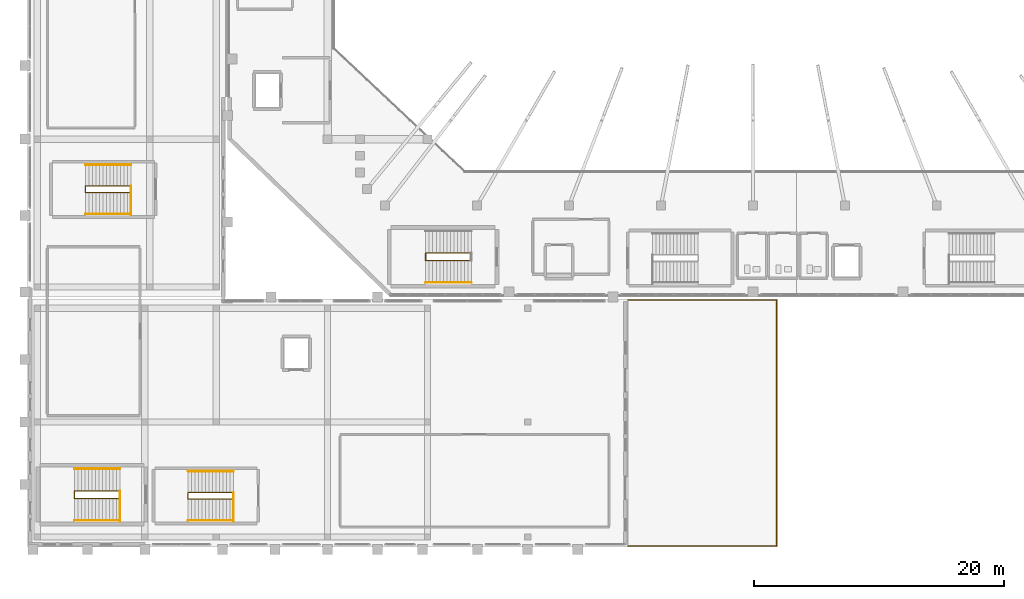
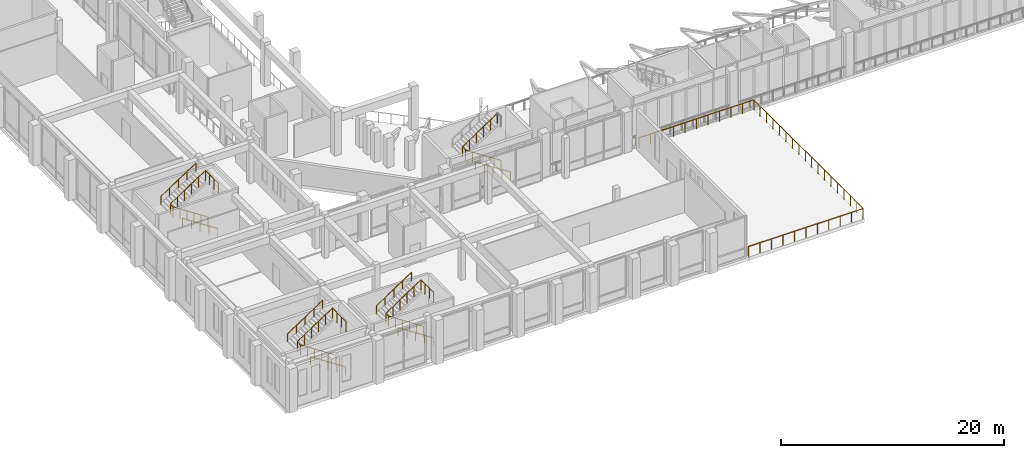
# One storey, part 70 of 79: 15 railings.
"""IFC4 building model written with IfcOpenShell, lengths in metres."""

from ifc_helpers import new_model, si_unit, derived_unit, direction, frame, origin, origin_2d, place, context, subcontext, project, spatial, circle, extrude, material, type_object, element, save


model = new_model("IFC4")

# Units and contexts
model_context = context("Model", 3, precision=1e-05, world=origin(), true_north=direction((0.0, 1.0)))
body_context = subcontext(model_context, "Body", "Model", "MODEL_VIEW")
ifc_project = project(units=[si_unit("LENGTHUNIT", "METRE"), si_unit("AREAUNIT", "SQUARE_METRE"), si_unit("VOLUMEUNIT", "CUBIC_METRE"), si_unit("PLANEANGLEUNIT", "RADIAN"), si_unit("MASSUNIT", "GRAM", prefix="KILO"), derived_unit("THERMALTRANSMITTANCEUNIT", [(si_unit("MASSUNIT", "GRAM", prefix="KILO"), 1), (si_unit("TIMEUNIT", "SECOND"), -3), (si_unit("THERMODYNAMICTEMPERATUREUNIT", "KELVIN"), -1)])], contexts=[model_context])

# Site, building, storey
site_placement = place(None, origin())
site = spatial("IfcSite", under=ifc_project, at=site_placement, CompositionType="ELEMENT")
building_placement = place(site_placement, origin())
building = spatial("IfcBuilding", under=site, at=building_placement, Name="Valcora Ridge Arena", CompositionType="ELEMENT")
storey_placement = place(building_placement, frame((0.0, 0.0, 16.199951171875)))
storey = spatial("IfcBuildingStorey", under=building, at=storey_placement, Name="L03", CompositionType="ELEMENT", Elevation=16.199951171875)

# Railings
ifc_material = material(Name="Galvanized painted steel ASTM A500 Grade B", Category="steel")
railing_type_1 = type_object("IfcRailingType", Name="TY-RAILING-GRD-STAIR-1120", PredefinedType="GUARDRAIL", material=ifc_material)
railing_1_placement = place(storey_placement, frame((35.489990234375, 22.89990234375, 0.0)))
element("IfcRailing", 1, at=railing_1_placement, inside=storey, type_object=railing_type_1, Name="GRD-STAIR-1120 RAL-SG-0009", PredefinedType="GUARDRAIL", context=body_context, shape_type="SweptSolid", body=[
    extrude(circle(Radius=0.02392578125, at=origin_2d()), frame((0.0, 0.0, 1.09619140625), z_axis=(-0.834839479206, 0.0, 0.550493454965), x_axis=(0.0, -1.0, 0.0)), (0.0, 0.0, 1.0), 4.360107421875),
    extrude(circle(Radius=0.02392578125, at=origin_2d()), frame((-3.639892578125, 0.0, 3.49609375), z_axis=(0.0, 1.0, 0.0), x_axis=(-1.0, 0.0, 0.0)), (0.0, 0.0, 1.0), 0.60009765625),
    extrude(circle(Radius=0.02392578125, at=origin_2d()), frame((-3.639892578125, 0.60009765625, 3.49609375), z_axis=(0.834865213223, 0.0, 0.550454426587), x_axis=(0.0, 1.0, 0.0)), (0.0, 0.0, 1.0), 4.35986328125),
    extrude(circle(Radius=0.02099609375, at=origin_2d()), origin(), (0.0, 0.0, 1.0), 1.072021484375),
    extrude(circle(Radius=0.02099609375, at=origin_2d()), frame((-0.72802734375, 0.0, 0.47998046875)), (0.0, 0.0, 1.0), 1.072021484375),
    extrude(circle(Radius=0.02099609375, at=origin_2d()), frame((-1.4560546875, 0.0, 0.9599609375)), (0.0, 0.0, 1.0), 1.072021484375),
    extrude(circle(Radius=0.02099609375, at=origin_2d()), frame((-2.183837890625, 0.0, 1.440185546875)), (0.0, 0.0, 1.0), 1.072021484375),
    extrude(circle(Radius=0.02099609375, at=origin_2d()), frame((-2.911865234375, 0.0, 1.920166015625)), (0.0, 0.0, 1.0), 1.072021484375),
    extrude(circle(Radius=0.02099609375, at=origin_2d()), frame((-3.639892578125, 0.0, 2.400146484375)), (0.0, 0.0, 1.0), 1.072021484375),
    extrude(circle(Radius=0.02099609375, at=origin_2d()), frame((-3.639892578125, 0.60009765625, 2.400146484375)), (0.0, 0.0, 1.0), 1.072021484375),
    extrude(circle(Radius=0.02099609375, at=origin_2d()), frame((-2.911865234375, 0.60009765625, 2.880126953125)), (0.0, 0.0, 1.0), 1.072021484375),
    extrude(circle(Radius=0.02099609375, at=origin_2d()), frame((-2.183837890625, 0.60009765625, 3.360107421875)), (0.0, 0.0, 1.0), 1.072021484375),
    extrude(circle(Radius=0.02099609375, at=origin_2d()), frame((-1.4560546875, 0.60009765625, 3.840087890625)), (0.0, 0.0, 1.0), 1.072021484375),
    extrude(circle(Radius=0.02099609375, at=origin_2d()), frame((-0.72802734375, 0.60009765625, 4.320068359375)), (0.0, 0.0, 1.0), 1.072021484375),
    extrude(circle(Radius=0.02099609375, at=origin_2d()), frame((0.0, 0.60009765625, 4.800048828125)), (0.0, 0.0, 1.0), 1.072021484375),
])
railing_2_placement = place(storey_placement, frame((7.409912109375, 3.89990234375, 0.0)))
element("IfcRailing", 2, at=railing_2_placement, inside=storey, type_object=railing_type_1, Name="GRD-STAIR-1120 RAL-SG-0067", PredefinedType="GUARDRAIL", context=body_context, shape_type="SweptSolid", body=[
    extrude(circle(Radius=0.02392578125, at=origin_2d()), frame((0.0, 0.0, 1.09619140625), z_axis=(-0.834839479206, 0.0, 0.550493454965), x_axis=(0.0, -1.0, 0.0)), (0.0, 0.0, 1.0), 4.360107421875),
    extrude(circle(Radius=0.02392578125, at=origin_2d()), frame((-3.639892578125, 0.0, 3.49609375), z_axis=(0.0, 1.0, 0.0), x_axis=(-1.0, 0.0, 0.0)), (0.0, 0.0, 1.0), 0.60009765625),
    extrude(circle(Radius=0.02392578125, at=origin_2d()), frame((-3.639892578125, 0.60009765625, 3.49609375), z_axis=(0.834865213223, 0.0, 0.550454426587), x_axis=(0.0, 1.0, 0.0)), (0.0, 0.0, 1.0), 4.35986328125),
    extrude(circle(Radius=0.02099609375, at=origin_2d()), origin(), (0.0, 0.0, 1.0), 1.072021484375),
    extrude(circle(Radius=0.02099609375, at=origin_2d()), frame((-0.72802734375, 0.0, 0.47998046875)), (0.0, 0.0, 1.0), 1.072021484375),
    extrude(circle(Radius=0.02099609375, at=origin_2d()), frame((-1.4560546875, 0.0, 0.9599609375)), (0.0, 0.0, 1.0), 1.072021484375),
    extrude(circle(Radius=0.02099609375, at=origin_2d()), frame((-2.183837890625, 0.0, 1.440185546875)), (0.0, 0.0, 1.0), 1.072021484375),
    extrude(circle(Radius=0.02099609375, at=origin_2d()), frame((-2.911865234375, 0.0, 1.920166015625)), (0.0, 0.0, 1.0), 1.072021484375),
    extrude(circle(Radius=0.02099609375, at=origin_2d()), frame((-3.639892578125, 0.0, 2.400146484375)), (0.0, 0.0, 1.0), 1.072021484375),
    extrude(circle(Radius=0.02099609375, at=origin_2d()), frame((-3.639892578125, 0.60009765625, 2.400146484375)), (0.0, 0.0, 1.0), 1.072021484375),
    extrude(circle(Radius=0.02099609375, at=origin_2d()), frame((-2.911865234375, 0.60009765625, 2.880126953125)), (0.0, 0.0, 1.0), 1.072021484375),
    extrude(circle(Radius=0.02099609375, at=origin_2d()), frame((-2.183837890625, 0.60009765625, 3.360107421875)), (0.0, 0.0, 1.0), 1.072021484375),
    extrude(circle(Radius=0.02099609375, at=origin_2d()), frame((-1.4560546875, 0.60009765625, 3.840087890625)), (0.0, 0.0, 1.0), 1.072021484375),
    extrude(circle(Radius=0.02099609375, at=origin_2d()), frame((-0.72802734375, 0.60009765625, 4.320068359375)), (0.0, 0.0, 1.0), 1.072021484375),
    extrude(circle(Radius=0.02099609375, at=origin_2d()), frame((0.0, 0.60009765625, 4.800048828125)), (0.0, 0.0, 1.0), 1.072021484375),
])
railing_3_placement = place(storey_placement, frame((7.409912109375, 2.050048828125, 4.800048828125)))
element("IfcRailing", 3, at=railing_3_placement, inside=storey, type_object=railing_type_1, Name="GRD-STAIR-1120 RAL-SG-0068", PredefinedType="GUARDRAIL", context=body_context, shape_type="SweptSolid", body=[
    extrude(circle(Radius=0.02392578125, at=origin_2d()), frame((0.0, 0.0, 1.09619140625), z_axis=(0.0, 1.0, 0.0), x_axis=(-1.0, 0.0, 0.0)), (0.0, 0.0, 1.0), 2.449951171875),
    extrude(circle(Radius=0.02099609375, at=origin_2d()), origin(), (0.0, 0.0, 1.0), 1.072021484375),
    extrude(circle(Radius=0.02099609375, at=origin_2d()), frame((0.0, 0.816650390625, 0.0)), (0.0, 0.0, 1.0), 1.072021484375),
    extrude(circle(Radius=0.02099609375, at=origin_2d()), frame((0.0, 1.63330078125, 0.0)), (0.0, 0.0, 1.0), 1.072021484375),
    extrude(circle(Radius=0.02099609375, at=origin_2d()), frame((0.0, 2.449951171875, 0.0)), (0.0, 0.0, 1.0), 1.072021484375),
])
railing_4_placement = place(storey_placement, frame((16.5, 3.85009765625, 0.0)))
element("IfcRailing", 4, at=railing_4_placement, inside=storey, type_object=railing_type_1, Name="GRD-STAIR-1120 RAL-SG-0135", PredefinedType="GUARDRAIL", context=body_context, shape_type="SweptSolid", body=[
    extrude(circle(Radius=0.02392578125, at=origin_2d()), frame((0.0, 0.0, 1.09619140625), z_axis=(-0.834839479206, 0.0, 0.550493454965), x_axis=(0.0, -1.0, 0.0)), (0.0, 0.0, 1.0), 4.360107421875),
    extrude(circle(Radius=0.02392578125, at=origin_2d()), frame((-3.639892578125, 0.0, 3.49609375), z_axis=(0.0, 1.0, 0.0), x_axis=(-1.0, 0.0, 0.0)), (0.0, 0.0, 1.0), 0.5),
    extrude(circle(Radius=0.02392578125, at=origin_2d()), frame((-3.639892578125, 0.5, 3.49609375), z_axis=(0.834865213223, 0.0, 0.550454426587), x_axis=(0.0, 1.0, 0.0)), (0.0, 0.0, 1.0), 4.35986328125),
    extrude(circle(Radius=0.02099609375, at=origin_2d()), origin(), (0.0, 0.0, 1.0), 1.072021484375),
    extrude(circle(Radius=0.02099609375, at=origin_2d()), frame((-0.72802734375, 0.0, 0.47998046875)), (0.0, 0.0, 1.0), 1.072021484375),
    extrude(circle(Radius=0.02099609375, at=origin_2d()), frame((-1.4560546875, 0.0, 0.9599609375)), (0.0, 0.0, 1.0), 1.072021484375),
    extrude(circle(Radius=0.02099609375, at=origin_2d()), frame((-2.183837890625, 0.0, 1.440185546875)), (0.0, 0.0, 1.0), 1.072021484375),
    extrude(circle(Radius=0.02099609375, at=origin_2d()), frame((-2.911865234375, 0.0, 1.920166015625)), (0.0, 0.0, 1.0), 1.072021484375),
    extrude(circle(Radius=0.02099609375, at=origin_2d()), frame((-3.639892578125, 0.0, 2.400146484375)), (0.0, 0.0, 1.0), 1.072021484375),
    extrude(circle(Radius=0.02099609375, at=origin_2d()), frame((-3.639892578125, 0.5, 2.400146484375)), (0.0, 0.0, 1.0), 1.072021484375),
    extrude(circle(Radius=0.02099609375, at=origin_2d()), frame((-2.911865234375, 0.5, 2.880126953125)), (0.0, 0.0, 1.0), 1.072021484375),
    extrude(circle(Radius=0.02099609375, at=origin_2d()), frame((-2.183837890625, 0.5, 3.360107421875)), (0.0, 0.0, 1.0), 1.072021484375),
    extrude(circle(Radius=0.02099609375, at=origin_2d()), frame((-1.4560546875, 0.5, 3.840087890625)), (0.0, 0.0, 1.0), 1.072021484375),
    extrude(circle(Radius=0.02099609375, at=origin_2d()), frame((-0.72802734375, 0.5, 4.320068359375)), (0.0, 0.0, 1.0), 1.072021484375),
    extrude(circle(Radius=0.02099609375, at=origin_2d()), frame((0.0, 0.5, 4.800048828125)), (0.0, 0.0, 1.0), 1.072021484375),
])
railing_5_placement = place(storey_placement, frame((16.5, 2.050048828125, 4.800048828125)))
element("IfcRailing", 5, at=railing_5_placement, inside=storey, type_object=railing_type_1, Name="GRD-STAIR-1120 RAL-SG-0136", PredefinedType="GUARDRAIL", context=body_context, shape_type="SweptSolid", body=[
    extrude(circle(Radius=0.02392578125, at=origin_2d()), frame((0.0, 0.0, 1.09619140625), z_axis=(0.0, 1.0, 0.0), x_axis=(-1.0, 0.0, 0.0)), (0.0, 0.0, 1.0), 2.300048828125),
    extrude(circle(Radius=0.02099609375, at=origin_2d()), origin(), (0.0, 0.0, 1.0), 1.072021484375),
    extrude(circle(Radius=0.02099609375, at=origin_2d()), frame((0.0, 0.7666015625, 0.0)), (0.0, 0.0, 1.0), 1.072021484375),
    extrude(circle(Radius=0.02099609375, at=origin_2d()), frame((0.0, 1.533447265625, 0.0)), (0.0, 0.0, 1.0), 1.072021484375),
    extrude(circle(Radius=0.02099609375, at=origin_2d()), frame((0.0, 2.300048828125, 0.0)), (0.0, 0.0, 1.0), 1.072021484375),
])
railing_6_placement = place(storey_placement, frame((8.300048828125, 28.35009765625, 0.0)))
element("IfcRailing", 6, at=railing_6_placement, inside=storey, type_object=railing_type_1, Name="GRD-STAIR-1120 RAL-SG-0147", PredefinedType="GUARDRAIL", context=body_context, shape_type="SweptSolid", body=[
    extrude(circle(Radius=0.02392578125, at=origin_2d()), frame((0.0, 0.0, 1.09619140625), z_axis=(-0.834856447115, 0.0, 0.55046772177), x_axis=(0.0, -1.0, 0.0)), (0.0, 0.0, 1.0), 4.360107421875),
    extrude(circle(Radius=0.02392578125, at=origin_2d()), frame((-3.64013671875, 0.0, 3.49609375), z_axis=(0.0, 1.0, 0.0), x_axis=(-1.0, 0.0, 0.0)), (0.0, 0.0, 1.0), 0.5),
    extrude(circle(Radius=0.02392578125, at=origin_2d()), frame((-3.64013671875, 0.5, 3.49609375), z_axis=(0.83488217925, 0.0, 0.55042869363), x_axis=(0.0, 1.0, 0.0)), (0.0, 0.0, 1.0), 4.360107421875),
    extrude(circle(Radius=0.02099609375, at=origin_2d()), origin(), (0.0, 0.0, 1.0), 1.072021484375),
    extrude(circle(Radius=0.02099609375, at=origin_2d()), frame((-0.72802734375, 0.0, 0.47998046875)), (0.0, 0.0, 1.0), 1.072021484375),
    extrude(circle(Radius=0.02099609375, at=origin_2d()), frame((-1.4560546875, 0.0, 0.9599609375)), (0.0, 0.0, 1.0), 1.072021484375),
    extrude(circle(Radius=0.02099609375, at=origin_2d()), frame((-2.18408203125, 0.0, 1.440185546875)), (0.0, 0.0, 1.0), 1.072021484375),
    extrude(circle(Radius=0.02099609375, at=origin_2d()), frame((-2.912109375, 0.0, 1.920166015625)), (0.0, 0.0, 1.0), 1.072021484375),
    extrude(circle(Radius=0.02099609375, at=origin_2d()), frame((-3.64013671875, 0.0, 2.400146484375)), (0.0, 0.0, 1.0), 1.072021484375),
    extrude(circle(Radius=0.02099609375, at=origin_2d()), frame((-3.64013671875, 0.5, 2.400146484375)), (0.0, 0.0, 1.0), 1.072021484375),
    extrude(circle(Radius=0.02099609375, at=origin_2d()), frame((-2.912109375, 0.5, 2.880126953125)), (0.0, 0.0, 1.0), 1.072021484375),
    extrude(circle(Radius=0.02099609375, at=origin_2d()), frame((-2.18408203125, 0.5, 3.360107421875)), (0.0, 0.0, 1.0), 1.072021484375),
    extrude(circle(Radius=0.02099609375, at=origin_2d()), frame((-1.4560546875, 0.5, 3.840087890625)), (0.0, 0.0, 1.0), 1.072021484375),
    extrude(circle(Radius=0.02099609375, at=origin_2d()), frame((-0.72802734375, 0.5, 4.320068359375)), (0.0, 0.0, 1.0), 1.072021484375),
    extrude(circle(Radius=0.02099609375, at=origin_2d()), frame((0.0, 0.5, 4.800048828125)), (0.0, 0.0, 1.0), 1.072021484375),
])
railing_7_placement = place(storey_placement, frame((8.300048828125, 26.550048828125, 4.800048828125)))
element("IfcRailing", 7, at=railing_7_placement, inside=storey, type_object=railing_type_1, Name="GRD-STAIR-1120 RAL-SG-0148", PredefinedType="GUARDRAIL", context=body_context, shape_type="SweptSolid", body=[
    extrude(circle(Radius=0.02392578125, at=origin_2d()), frame((0.0, 0.0, 1.09619140625), z_axis=(0.0, 1.0, 0.0), x_axis=(-1.0, 0.0, 0.0)), (0.0, 0.0, 1.0), 2.300048828125),
    extrude(circle(Radius=0.02099609375, at=origin_2d()), origin(), (0.0, 0.0, 1.0), 1.072021484375),
    extrude(circle(Radius=0.02099609375, at=origin_2d()), frame((0.0, 0.7666015625, 0.0)), (0.0, 0.0, 1.0), 1.072021484375),
    extrude(circle(Radius=0.02099609375, at=origin_2d()), frame((0.0, 1.533447265625, 0.0)), (0.0, 0.0, 1.0), 1.072021484375),
    extrude(circle(Radius=0.02099609375, at=origin_2d()), frame((0.0, 2.300048828125, 0.0)), (0.0, 0.0, 1.0), 1.072021484375),
])
railing_type_2 = type_object("IfcRailingType", Name="TY-RAILING-GRD-TERR-1120", PredefinedType="GUARDRAIL", material=ifc_material)
railing_8_placement = place(storey_placement, frame((48.0, 0.10009765625, 0.0)))
element("IfcRailing", 8, at=railing_8_placement, inside=storey, type_object=railing_type_2, Name="GRD-TERR-1120 RAL-TR-0001", PredefinedType="GUARDRAIL", context=body_context, shape_type="SweptSolid", body=[
    extrude(circle(Radius=0.02392578125, at=origin_2d()), frame((0.0, 0.0, 1.09619140625), z_axis=(1.0, 0.0, 0.0), x_axis=(0.0, 1.0, 0.0)), (0.0, 0.0, 1.0), 11.89990234375),
    extrude(circle(Radius=0.02392578125, at=origin_2d()), frame((11.89990234375, 0.0, 1.09619140625), z_axis=(0.0, 1.0, 0.0), x_axis=(-1.0, 0.0, 0.0)), (0.0, 0.0, 1.0), 19.64990234375),
    extrude(circle(Radius=0.02392578125, at=origin_2d()), frame((11.89990234375, 19.64990234375, 1.09619140625), z_axis=(-1.0, 0.0, 0.0), x_axis=(0.0, -1.0, 0.0)), (0.0, 0.0, 1.0), 11.89990234375),
    extrude(circle(Radius=0.02099609375, at=origin_2d()), origin(), (0.0, 0.0, 1.0), 1.072021484375),
    extrude(circle(Radius=0.02099609375, at=origin_2d()), frame((1.18994140625, 0.0, 0.0)), (0.0, 0.0, 1.0), 1.072021484375),
    extrude(circle(Radius=0.02099609375, at=origin_2d()), frame((2.3798828125, 0.0, 0.0)), (0.0, 0.0, 1.0), 1.072021484375),
    extrude(circle(Radius=0.02099609375, at=origin_2d()), frame((3.570068359375, 0.0, 0.0)), (0.0, 0.0, 1.0), 1.072021484375),
    extrude(circle(Radius=0.02099609375, at=origin_2d()), frame((4.760009765625, 0.0, 0.0)), (0.0, 0.0, 1.0), 1.072021484375),
    extrude(circle(Radius=0.02099609375, at=origin_2d()), frame((5.949951171875, 0.0, 0.0)), (0.0, 0.0, 1.0), 1.072021484375),
    extrude(circle(Radius=0.02099609375, at=origin_2d()), frame((7.139892578125, 0.0, 0.0)), (0.0, 0.0, 1.0), 1.072021484375),
    extrude(circle(Radius=0.02099609375, at=origin_2d()), frame((8.329833984375, 0.0, 0.0)), (0.0, 0.0, 1.0), 1.072021484375),
    extrude(circle(Radius=0.02099609375, at=origin_2d()), frame((9.52001953125, 0.0, 0.0)), (0.0, 0.0, 1.0), 1.072021484375),
    extrude(circle(Radius=0.02099609375, at=origin_2d()), frame((10.7099609375, 0.0, 0.0)), (0.0, 0.0, 1.0), 1.072021484375),
    extrude(circle(Radius=0.02099609375, at=origin_2d()), frame((11.89990234375, 0.0, 0.0)), (0.0, 0.0, 1.0), 1.072021484375),
    extrude(circle(Radius=0.02099609375, at=origin_2d()), frame((11.89990234375, 1.15576171875, 0.0)), (0.0, 0.0, 1.0), 1.072021484375),
    extrude(circle(Radius=0.02099609375, at=origin_2d()), frame((11.89990234375, 2.311767578125, 0.0)), (0.0, 0.0, 1.0), 1.072021484375),
    extrude(circle(Radius=0.02099609375, at=origin_2d()), frame((11.89990234375, 3.467529296875, 0.0)), (0.0, 0.0, 1.0), 1.072021484375),
    extrude(circle(Radius=0.02099609375, at=origin_2d()), frame((11.89990234375, 4.62353515625, 0.0)), (0.0, 0.0, 1.0), 1.072021484375),
    extrude(circle(Radius=0.02099609375, at=origin_2d()), frame((11.89990234375, 5.779296875, 0.0)), (0.0, 0.0, 1.0), 1.072021484375),
    extrude(circle(Radius=0.02099609375, at=origin_2d()), frame((11.89990234375, 6.935302734375, 0.0)), (0.0, 0.0, 1.0), 1.072021484375),
    extrude(circle(Radius=0.02099609375, at=origin_2d()), frame((11.89990234375, 8.091064453125, 0.0)), (0.0, 0.0, 1.0), 1.072021484375),
    extrude(circle(Radius=0.02099609375, at=origin_2d()), frame((11.89990234375, 9.2470703125, 0.0)), (0.0, 0.0, 1.0), 1.072021484375),
    extrude(circle(Radius=0.02099609375, at=origin_2d()), frame((11.89990234375, 10.40283203125, 0.0)), (0.0, 0.0, 1.0), 1.072021484375),
    extrude(circle(Radius=0.02099609375, at=origin_2d()), frame((11.89990234375, 11.558837890625, 0.0)), (0.0, 0.0, 1.0), 1.072021484375),
    extrude(circle(Radius=0.02099609375, at=origin_2d()), frame((11.89990234375, 12.714599609375, 0.0)), (0.0, 0.0, 1.0), 1.072021484375),
    extrude(circle(Radius=0.02099609375, at=origin_2d()), frame((11.89990234375, 13.87060546875, 0.0)), (0.0, 0.0, 1.0), 1.072021484375),
    extrude(circle(Radius=0.02099609375, at=origin_2d()), frame((11.89990234375, 15.0263671875, 0.0)), (0.0, 0.0, 1.0), 1.072021484375),
    extrude(circle(Radius=0.02099609375, at=origin_2d()), frame((11.89990234375, 16.182373046875, 0.0)), (0.0, 0.0, 1.0), 1.072021484375),
    extrude(circle(Radius=0.02099609375, at=origin_2d()), frame((11.89990234375, 17.338134765625, 0.0)), (0.0, 0.0, 1.0), 1.072021484375),
    extrude(circle(Radius=0.02099609375, at=origin_2d()), frame((11.89990234375, 18.494140625, 0.0)), (0.0, 0.0, 1.0), 1.072021484375),
    extrude(circle(Radius=0.02099609375, at=origin_2d()), frame((11.89990234375, 19.64990234375, 0.0)), (0.0, 0.0, 1.0), 1.072021484375),
    extrude(circle(Radius=0.02099609375, at=origin_2d()), frame((10.7099609375, 19.64990234375, 0.0)), (0.0, 0.0, 1.0), 1.072021484375),
    extrude(circle(Radius=0.02099609375, at=origin_2d()), frame((9.52001953125, 19.64990234375, 0.0)), (0.0, 0.0, 1.0), 1.072021484375),
    extrude(circle(Radius=0.02099609375, at=origin_2d()), frame((8.329833984375, 19.64990234375, 0.0)), (0.0, 0.0, 1.0), 1.072021484375),
    extrude(circle(Radius=0.02099609375, at=origin_2d()), frame((7.139892578125, 19.64990234375, 0.0)), (0.0, 0.0, 1.0), 1.072021484375),
    extrude(circle(Radius=0.02099609375, at=origin_2d()), frame((5.949951171875, 19.64990234375, 0.0)), (0.0, 0.0, 1.0), 1.072021484375),
    extrude(circle(Radius=0.02099609375, at=origin_2d()), frame((4.760009765625, 19.64990234375, 0.0)), (0.0, 0.0, 1.0), 1.072021484375),
    extrude(circle(Radius=0.02099609375, at=origin_2d()), frame((3.570068359375, 19.64990234375, 0.0)), (0.0, 0.0, 1.0), 1.072021484375),
    extrude(circle(Radius=0.02099609375, at=origin_2d()), frame((2.3798828125, 19.64990234375, 0.0)), (0.0, 0.0, 1.0), 1.072021484375),
    extrude(circle(Radius=0.02099609375, at=origin_2d()), frame((1.18994140625, 19.64990234375, 0.0)), (0.0, 0.0, 1.0), 1.072021484375),
    extrude(circle(Radius=0.02099609375, at=origin_2d()), frame((0.0, 19.64990234375, 0.0)), (0.0, 0.0, 1.0), 1.072021484375),
])
railing_type_3 = type_object("IfcRailingType", Name="TY-RAILING-HR-STAIR-900", PredefinedType="HANDRAIL", material=ifc_material)
for number, where, name in (
    (9, (35.489990234375, 21.139892578125, 0.0), "HR-STAIR-900 RAL-SH-0009"),
    (10, (7.409912109375, 2.139892578125, 0.0), "HR-STAIR-900 RAL-SH-0067"),
):
    element("IfcRailing", number, at=place(storey_placement, frame(where)), inside=storey, type_object=railing_type_3, Name=name, PredefinedType="HANDRAIL", context=body_context, shape_type="SweptSolid", body=[
        extrude(circle(Radius=0.02392578125, at=origin_2d()), frame((0.0, 0.0, 0.8759765625), z_axis=(-0.834839479206, 0.0, 0.550493454965), x_axis=(0.0, -1.0, 0.0)), (0.0, 0.0, 1.0), 4.360107421875),
        extrude(circle(Radius=0.02099609375, at=origin_2d()), origin(), (0.0, 0.0, 1.0), 0.851806640625),
        extrude(circle(Radius=0.02099609375, at=origin_2d()), frame((-0.909912109375, 0.0, 0.60009765625)), (0.0, 0.0, 1.0), 0.851806640625),
        extrude(circle(Radius=0.02099609375, at=origin_2d()), frame((-1.81982421875, 0.0, 1.2001953125)), (0.0, 0.0, 1.0), 0.851806640625),
        extrude(circle(Radius=0.02099609375, at=origin_2d()), frame((-2.72998046875, 0.0, 1.800048828125)), (0.0, 0.0, 1.0), 0.851806640625),
        extrude(circle(Radius=0.02099609375, at=origin_2d()), frame((-3.639892578125, 0.0, 2.400146484375)), (0.0, 0.0, 1.0), 0.851806640625),
    ])
railing_9_placement = place(storey_placement, frame((3.77001953125, 6.260009765625, 2.400146484375)))
element("IfcRailing", 11, at=railing_9_placement, inside=storey, type_object=railing_type_3, Name="HR-STAIR-900 RAL-SH-0068", PredefinedType="HANDRAIL", context=body_context, shape_type="SweptSolid", body=[
    extrude(circle(Radius=0.02392578125, at=origin_2d()), frame((0.0, 0.0, 0.8759765625), z_axis=(0.834865213223, 0.0, 0.550454426587), x_axis=(0.0, 1.0, 0.0)), (0.0, 0.0, 1.0), 4.35986328125),
    extrude(circle(Radius=0.02099609375, at=origin_2d()), origin(), (0.0, 0.0, 1.0), 0.851806640625),
    extrude(circle(Radius=0.02099609375, at=origin_2d()), frame((0.909912109375, 0.0, 0.60009765625)), (0.0, 0.0, 1.0), 0.851806640625),
    extrude(circle(Radius=0.02099609375, at=origin_2d()), frame((1.81982421875, 0.0, 1.199951171875)), (0.0, 0.0, 1.0), 0.851806640625),
    extrude(circle(Radius=0.02099609375, at=origin_2d()), frame((2.72998046875, 0.0, 1.7998046875)), (0.0, 0.0, 1.0), 0.851806640625),
    extrude(circle(Radius=0.02099609375, at=origin_2d()), frame((3.639892578125, 0.0, 2.39990234375)), (0.0, 0.0, 1.0), 0.851806640625),
])
railing_10_placement = place(storey_placement, frame((16.5, 2.139892578125, 0.0)))
element("IfcRailing", 12, at=railing_10_placement, inside=storey, type_object=railing_type_3, Name="HR-STAIR-900 RAL-SH-0135", PredefinedType="HANDRAIL", context=body_context, shape_type="SweptSolid", body=[
    extrude(circle(Radius=0.02392578125, at=origin_2d()), frame((0.0, 0.0, 0.8759765625), z_axis=(-0.834839479206, 0.0, 0.550493454965), x_axis=(0.0, -1.0, 0.0)), (0.0, 0.0, 1.0), 4.360107421875),
    extrude(circle(Radius=0.02099609375, at=origin_2d()), origin(), (0.0, 0.0, 1.0), 0.851806640625),
    extrude(circle(Radius=0.02099609375, at=origin_2d()), frame((-0.909912109375, 0.0, 0.60009765625)), (0.0, 0.0, 1.0), 0.851806640625),
    extrude(circle(Radius=0.02099609375, at=origin_2d()), frame((-1.81982421875, 0.0, 1.2001953125)), (0.0, 0.0, 1.0), 0.851806640625),
    extrude(circle(Radius=0.02099609375, at=origin_2d()), frame((-2.72998046875, 0.0, 1.800048828125)), (0.0, 0.0, 1.0), 0.851806640625),
    extrude(circle(Radius=0.02099609375, at=origin_2d()), frame((-3.639892578125, 0.0, 2.400146484375)), (0.0, 0.0, 1.0), 0.851806640625),
])
railing_11_placement = place(storey_placement, frame((12.860107421875, 6.06005859375, 2.400146484375)))
element("IfcRailing", 13, at=railing_11_placement, inside=storey, type_object=railing_type_3, Name="HR-STAIR-900 RAL-SH-0136", PredefinedType="HANDRAIL", context=body_context, shape_type="SweptSolid", body=[
    extrude(circle(Radius=0.02392578125, at=origin_2d()), frame((0.0, 0.0, 0.8759765625), z_axis=(0.834865213223, 0.0, 0.550454426587), x_axis=(0.0, 1.0, 0.0)), (0.0, 0.0, 1.0), 4.35986328125),
    extrude(circle(Radius=0.02099609375, at=origin_2d()), origin(), (0.0, 0.0, 1.0), 0.851806640625),
    extrude(circle(Radius=0.02099609375, at=origin_2d()), frame((0.909912109375, 0.0, 0.60009765625)), (0.0, 0.0, 1.0), 0.851806640625),
    extrude(circle(Radius=0.02099609375, at=origin_2d()), frame((1.81982421875, 0.0, 1.199951171875)), (0.0, 0.0, 1.0), 0.851806640625),
    extrude(circle(Radius=0.02099609375, at=origin_2d()), frame((2.72998046875, 0.0, 1.7998046875)), (0.0, 0.0, 1.0), 0.851806640625),
    extrude(circle(Radius=0.02099609375, at=origin_2d()), frame((3.639892578125, 0.0, 2.39990234375)), (0.0, 0.0, 1.0), 0.851806640625),
])
railing_12_placement = place(storey_placement, frame((8.300048828125, 26.639892578125, 0.0)))
element("IfcRailing", 14, at=railing_12_placement, inside=storey, type_object=railing_type_3, Name="HR-STAIR-900 RAL-SH-0147", PredefinedType="HANDRAIL", context=body_context, shape_type="SweptSolid", body=[
    extrude(circle(Radius=0.02392578125, at=origin_2d()), frame((0.0, 0.0, 0.8759765625), z_axis=(-0.834856447115, 0.0, 0.55046772177), x_axis=(0.0, -1.0, 0.0)), (0.0, 0.0, 1.0), 4.360107421875),
    extrude(circle(Radius=0.02099609375, at=origin_2d()), origin(), (0.0, 0.0, 1.0), 0.851806640625),
    extrude(circle(Radius=0.02099609375, at=origin_2d()), frame((-0.91015625, 0.0, 0.60009765625)), (0.0, 0.0, 1.0), 0.851806640625),
    extrude(circle(Radius=0.02099609375, at=origin_2d()), frame((-1.820068359375, 0.0, 1.2001953125)), (0.0, 0.0, 1.0), 0.851806640625),
    extrude(circle(Radius=0.02099609375, at=origin_2d()), frame((-2.72998046875, 0.0, 1.800048828125)), (0.0, 0.0, 1.0), 0.851806640625),
    extrude(circle(Radius=0.02099609375, at=origin_2d()), frame((-3.64013671875, 0.0, 2.400146484375)), (0.0, 0.0, 1.0), 0.851806640625),
])
railing_13_placement = place(storey_placement, frame((4.659912109375, 30.56005859375, 2.400146484375)))
element("IfcRailing", 15, at=railing_13_placement, inside=storey, type_object=railing_type_3, Name="HR-STAIR-900 RAL-SH-0148", PredefinedType="HANDRAIL", context=body_context, shape_type="SweptSolid", body=[
    extrude(circle(Radius=0.02392578125, at=origin_2d()), frame((0.0, 0.0, 0.8759765625), z_axis=(0.83488217925, 0.0, 0.55042869363), x_axis=(0.0, 1.0, 0.0)), (0.0, 0.0, 1.0), 4.360107421875),
    extrude(circle(Radius=0.02099609375, at=origin_2d()), origin(), (0.0, 0.0, 1.0), 0.851806640625),
    extrude(circle(Radius=0.02099609375, at=origin_2d()), frame((0.91015625, 0.0, 0.60009765625)), (0.0, 0.0, 1.0), 0.851806640625),
    extrude(circle(Radius=0.02099609375, at=origin_2d()), frame((1.820068359375, 0.0, 1.199951171875)), (0.0, 0.0, 1.0), 0.851806640625),
    extrude(circle(Radius=0.02099609375, at=origin_2d()), frame((2.72998046875, 0.0, 1.7998046875)), (0.0, 0.0, 1.0), 0.851806640625),
    extrude(circle(Radius=0.02099609375, at=origin_2d()), frame((3.64013671875, 0.0, 2.39990234375)), (0.0, 0.0, 1.0), 0.851806640625),
])

save(model, "model.ifc")
